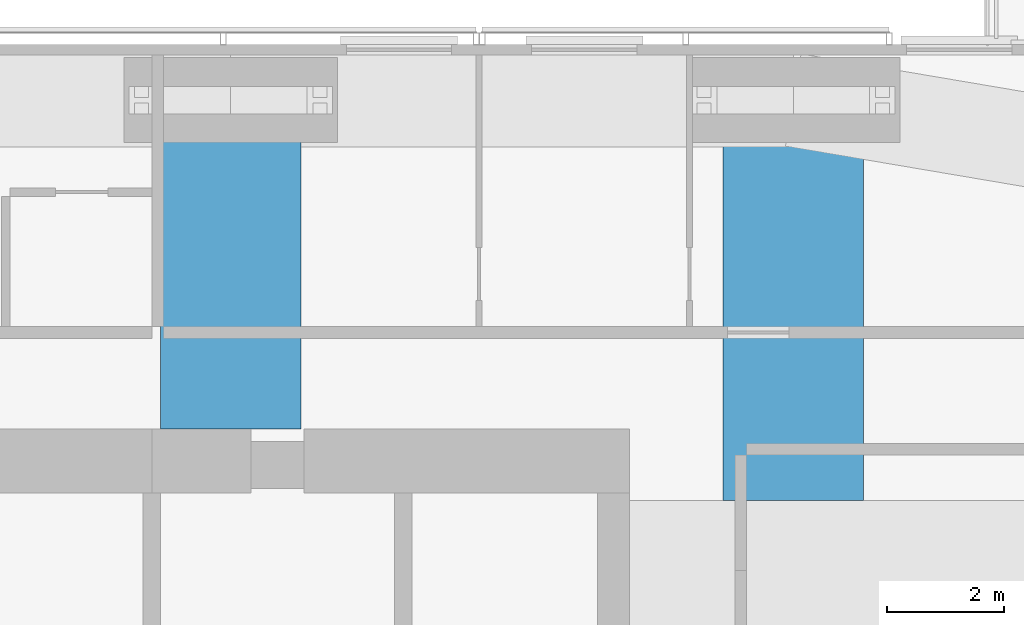
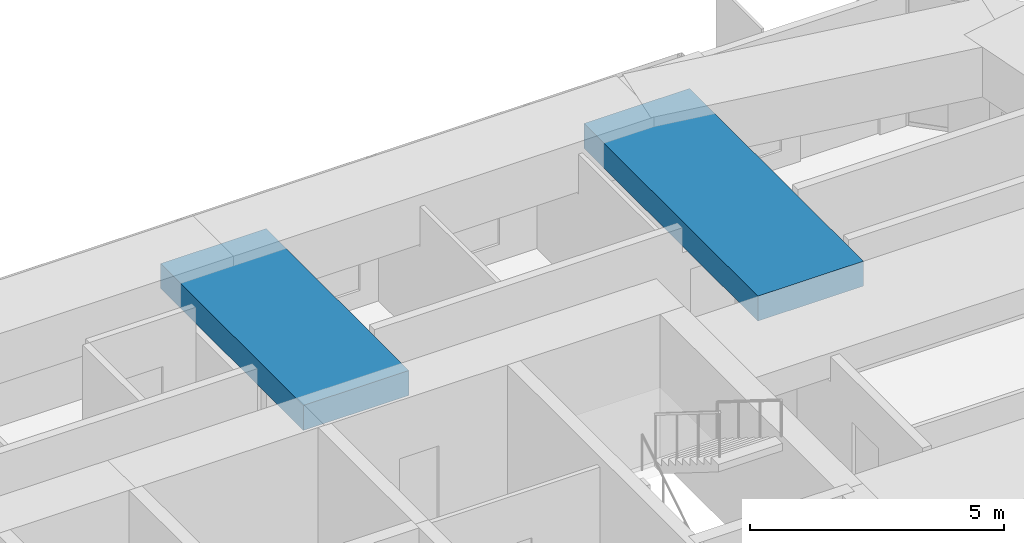
# One storey, part 6 of 18: 2 beams.
"""IFC4 building model written with IfcOpenShell, lengths in metres."""

import ifcopenshell
import ifcopenshell.guid

model = None  # the IFC model being written
_history = None  # IfcOwnerHistory: only IFC2X3 demands one
_inside = {}  # id of a spatial element -> (the spatial element, [elements in it])
_under = {}  # id of a project, library or spatial element -> (it, [spatial elements below it])
_declared = {}  # id of a project -> (the project, [libraries it declares])
_typed = {}  # id of a type object -> (the type object, [elements of that type])
_made_of = {}  # id of a material, layer set ... -> (it, [elements and type objects made of it])


def new_model(schema):
    """Start an empty IFC model of exactly this schema.

    Asked for "IFC4X3", IfcOpenShell would pick the latest addendum, in which some entities
    have other attributes; the version numbers below select the first issue.
    IFC2X3 requires an IfcOwnerHistory on every rooted entity: one is made here for all.
    """
    global model, _history
    if schema == "IFC4X3":
        model = ifcopenshell.file(schema_version=(4, 3, 0, 0))
    else:
        model = ifcopenshell.file(schema=schema)
    _inside.clear()
    _under.clear()
    _declared.clear()
    _typed.clear()
    _made_of.clear()
    _history = None
    if model.schema == "IFC2X3":
        org = make("IfcOrganization", Name="unknown")
        user = make(
            "IfcPersonAndOrganization",
            ThePerson=make("IfcPerson", FamilyName="unknown"),
            TheOrganization=org,
        )
        app = make(
            "IfcApplication",
            ApplicationDeveloper=org,
            Version="unknown",
            ApplicationFullName="unknown",
            ApplicationIdentifier="unknown",
        )
        _history = make(
            "IfcOwnerHistory",
            OwningUser=user,
            OwningApplication=app,
            ChangeAction="ADDED",
            CreationDate=0,
        )
    return model


def make(cls, **values):
    """One entity of the class cls with the attributes given. An attribute that is None is left unset."""
    return model.create_entity(
        cls, **{name: value for name, value in values.items() if value is not None}
    )


def rooted(cls, **values):
    """An entity with a GlobalId (a new one), such as an element, a storey or a relation."""
    return make(cls, GlobalId=ifcopenshell.guid.new(), OwnerHistory=_history, **values)


def si_unit(unit_type, name, prefix=None):
    """IfcSIUnit, for example si_unit("LENGTHUNIT", "METRE", prefix="MILLI")."""
    return make("IfcSIUnit", UnitType=unit_type, Prefix=prefix, Name=name)


def assignment(units):
    """IfcUnitAssignment: the units of a project."""
    return None if units is None else make("IfcUnitAssignment", Units=units)


def point(xyz):
    """IfcCartesianPoint."""
    return None if xyz is None else make("IfcCartesianPoint", Coordinates=xyz)


def direction(xyz):
    """IfcDirection."""
    return None if xyz is None else make("IfcDirection", DirectionRatios=xyz)


def frame(location, z_axis=None, x_axis=None):
    """IfcAxis2Placement3D, a coordinate frame: its origin and axes. An axis left out is left unset."""
    return make(
        "IfcAxis2Placement3D",
        Location=point(location),
        Axis=direction(z_axis),
        RefDirection=direction(x_axis),
    )


def frame_2d(location, x_axis=None):
    """IfcAxis2Placement2D, a coordinate frame in the plane: its origin and x axis."""
    return make(
        "IfcAxis2Placement2D", Location=point(location), RefDirection=direction(x_axis)
    )


def origin():
    """The frame at (0, 0, 0) with its axes left unset."""
    return frame((0.0, 0.0, 0.0))


def origin_2d():
    """The frame at (0, 0) in the plane with its x axis left unset."""
    return frame_2d((0.0, 0.0))


def place(relative_to, where):
    """IfcLocalPlacement: puts the frame where relative to a parent placement (None: the world)."""
    return make(
        "IfcLocalPlacement", PlacementRelTo=relative_to, RelativePlacement=where
    )


def context(
    kind, dimensions, precision=None, world=None, true_north=None, identifier=None
):
    """IfcGeometricRepresentationContext, for example the 3D "Model" context."""
    return make(
        "IfcGeometricRepresentationContext",
        ContextIdentifier=identifier,
        ContextType=kind,
        CoordinateSpaceDimension=dimensions,
        Precision=precision,
        WorldCoordinateSystem=world,
        TrueNorth=true_north,
    )


def subcontext(parent, identifier, kind, view, scale=None):
    """IfcGeometricRepresentationSubContext, for example "Body" below "Model"."""
    return make(
        "IfcGeometricRepresentationSubContext",
        ContextIdentifier=identifier,
        ContextType=kind,
        ParentContext=parent,
        TargetScale=scale,
        TargetView=view,
    )


def project(units=None, contexts=None):
    """IfcProject with its units and contexts."""
    return rooted(
        "IfcProject",
        Name="project",
        RepresentationContexts=contexts,
        UnitsInContext=assignment(units),
    )


def spatial(cls, under=None, at=None, **own):
    """A site, building, storey or space (cls), placed at a placement, below another one or the project."""
    s = rooted(cls, ObjectPlacement=at, **own)
    if under is not None:
        _under.setdefault(under.id(), (under, []))[1].append(s)
    return s


def profile(cls, at=None, kind="AREA", **sizes):
    """A parametric profile (cls). Its sizes go by their IFC names, for example OverallWidth=200.0."""
    return make(cls, ProfileType=kind, Position=at, **sizes)


def rectangle(**sizes):
    """IfcRectangleProfileDef."""
    return profile("IfcRectangleProfileDef", **sizes)


def extrude(swept, where, along, depth):
    """IfcExtrudedAreaSolid: the profile swept, set in the frame where, extruded along a direction by depth."""
    return make(
        "IfcExtrudedAreaSolid",
        SweptArea=swept,
        Position=where,
        ExtrudedDirection=direction(along),
        Depth=depth,
    )


def shape(context_of_items, identifier, shape_type, items):
    """IfcShapeRepresentation: the items that make up one representation, for example the "Body"."""
    return make(
        "IfcShapeRepresentation",
        ContextOfItems=context_of_items,
        RepresentationIdentifier=identifier,
        RepresentationType=shape_type,
        Items=items,
    )


def material(Name=None, Category=None):
    """IfcMaterial."""
    return make("IfcMaterial", Name=Name, Category=Category)


def material_profile(
    of_material, cross_section, Name=None, Category=None, Priority=None
):
    """IfcMaterialProfile: a cross section and its material."""
    return make(
        "IfcMaterialProfile",
        Name=Name,
        Material=of_material,
        Profile=cross_section,
        Priority=Priority,
        Category=Category,
    )


def profile_set(profiles, Name=None, composite=None):
    """IfcMaterialProfileSet."""
    return make(
        "IfcMaterialProfileSet",
        Name=Name,
        MaterialProfiles=profiles,
        CompositeProfile=composite,
    )


def made_of(thing, what):
    """Note that an element or type object is made of a material, layer set ...; save() writes the relation."""
    if what is not None:
        _made_of.setdefault(what.id(), (what, []))[1].append(thing)
    return thing


def type_object(cls, material=None, **own):
    """A type object (cls), such as IfcWallType, which elements share."""
    return made_of(rooted(cls, **own), material)


def element(
    cls,
    number,
    at=None,
    inside=None,
    cuts=None,
    type_object=None,
    material=None,
    context=None,
    identifier="Body",
    shape_type=None,
    held_by="IfcProductDefinitionShape",
    body=None,
    shapes=None,
    **own,
):
    """One element of the class cls, such as IfcWall. Its Tag is "e" and its number.

    at: its placement. inside: the storey or other place that contains it. cuts: it is an
    opening in that element (IfcRelVoidsElement). A single representation is given by context,
    identifier, shape_type and body (its items); several are given by shapes. held_by: the class
    of the entity that holds the representations. save() writes the other relations.
    """
    e = rooted(cls, Tag="e%d" % number, ObjectPlacement=at, **own)
    if body is not None:
        shapes = [shape(context, identifier, shape_type, body)]
    if shapes is not None:
        e.Representation = make(held_by, Representations=shapes)
    if inside is not None:
        _inside.setdefault(inside.id(), (inside, []))[1].append(e)
    if cuts is not None:
        rooted(
            "IfcRelVoidsElement", RelatingBuildingElement=cuts, RelatedOpeningElement=e
        )
    if type_object is not None:
        _typed.setdefault(type_object.id(), (type_object, []))[1].append(e)
    return made_of(e, material)


def aggregate(whole, parts):
    """IfcRelAggregates: a whole, such as a stair, and the parts it consists of."""
    return rooted("IfcRelAggregates", RelatingObject=whole, RelatedObjects=parts)


def save(model, path):
    """Write the relations noted so far, then the file.

    IfcRelAggregates (storeys below a building ...), IfcRelContainedInSpatialStructure (elements
    in a storey), IfcRelDefinesByType, IfcRelAssociatesMaterial and IfcRelDeclares: one each for
    every whole, place, type object, material and project.
    """
    for whole, parts in _under.values():
        aggregate(whole, parts)
    for where, things in _inside.values():
        rooted(
            "IfcRelContainedInSpatialStructure",
            RelatedElements=things,
            RelatingStructure=where,
        )
    for kind, things in _typed.values():
        rooted("IfcRelDefinesByType", RelatedObjects=things, RelatingType=kind)
    for what, things in _made_of.values():
        rooted("IfcRelAssociatesMaterial", RelatedObjects=things, RelatingMaterial=what)
    for by, libraries in _declared.values():
        rooted("IfcRelDeclares", RelatingContext=by, RelatedDefinitions=libraries)
    model.write(path)


model = new_model("IFC4")

# Units and contexts
model_context = context("Model", 3, precision=1e-05, world=origin(), true_north=direction((0.0, 1.0)))
body_context = subcontext(model_context, "Body", "Model", "MODEL_VIEW")
ifc_project = project(units=[si_unit("LENGTHUNIT", "METRE"), si_unit("AREAUNIT", "SQUARE_METRE"), si_unit("VOLUMEUNIT", "CUBIC_METRE"), si_unit("PLANEANGLEUNIT", "RADIAN"), si_unit("MASSUNIT", "GRAM", prefix="KILO")], contexts=[model_context])

# Site, building, storey
site_placement = place(None, origin())
site = spatial("IfcSite", under=ifc_project, at=site_placement, CompositionType="ELEMENT")
building_placement = place(site_placement, origin())
building = spatial("IfcBuilding", under=site, at=building_placement, Name="Jalousie Tower", CompositionType="ELEMENT")
storey_placement = place(building_placement, frame((0.0, 0.0, 228.449951171875)))
storey = spatial("IfcBuildingStorey", under=building, at=storey_placement, Name="L62", CompositionType="ELEMENT", Elevation=228.449951171875)

# Beams
ifc_material = material(Name="Concrete f'c 40 MPa", Category="concrete")
ifc_material_profile = material_profile(ifc_material, rectangle(XDim=2.39990234375, YDim=0.60009765625, at=origin_2d()), Name="RC 2400x600")
ifc_profile_set = profile_set([ifc_material_profile], Name="Concrete f'c 40 MPa")
beam_type = type_object("IfcBeamType", Name="RC BEAM 2400x600", PredefinedType="BEAM", material=ifc_profile_set)
beam_1_placement = place(storey_placement, frame((37.25, 33.050048828125, 2.9599609375), z_axis=(0.0, -1.0, 0.0), x_axis=(1.0, 0.0, 0.0)))
element("IfcBeam", 1, at=beam_1_placement, inside=storey, type_object=beam_type, Name="Floor band beam under L63", PredefinedType="BEAM", context=body_context, shape_type="SweptSolid", body=[
    extrude(rectangle(XDim=2.39990234375, YDim=0.60009765625, at=origin_2d()), origin(), (0.0, 0.0, 1.0), 5.625),
])
beam_2_placement = place(storey_placement, frame((46.875, 33.050048828125, 2.9599609375), z_axis=(0.0, -1.0, 0.0), x_axis=(1.0, 0.0, 0.0)))
element("IfcBeam", 2, at=beam_2_placement, inside=storey, type_object=beam_type, Name="Floor band beam under L63", PredefinedType="BEAM", context=body_context, shape_type="SweptSolid", body=[
    extrude(rectangle(XDim=2.39990234375, YDim=0.60009765625, at=origin_2d()), origin(), (0.0, 0.0, 1.0), 6.85009765625),
])

save(model, "model.ifc")
